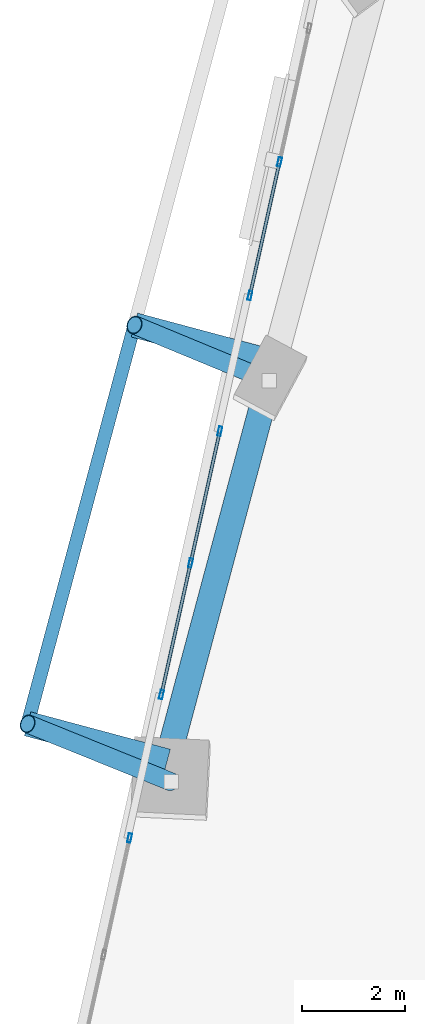
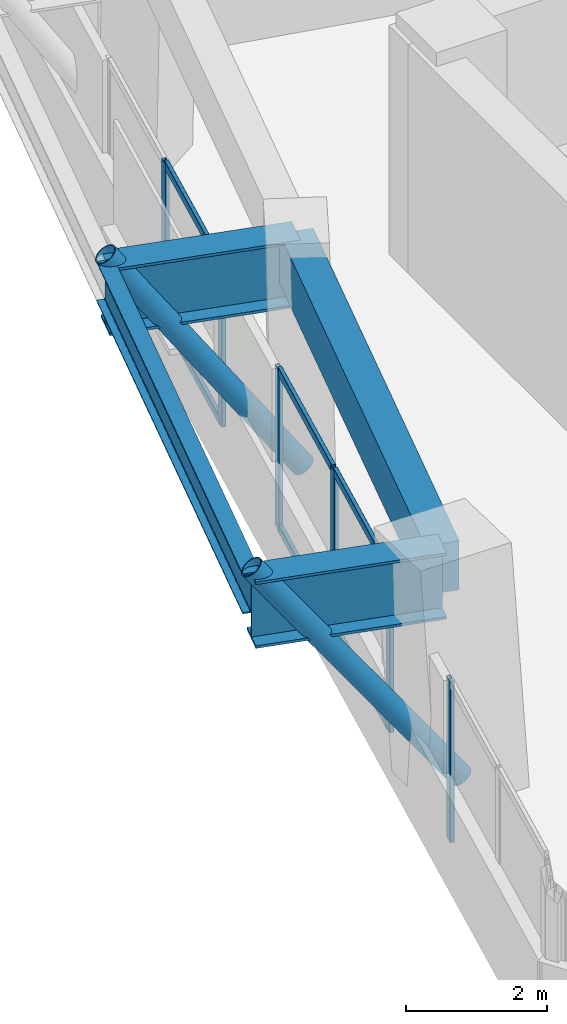
# One storey, part 6 of 26: 14 members, 4 beams, 3 elements without a shape of their own.
"""IFC4 building model written with IfcOpenShell, lengths in metres."""

from ifc_helpers import new_model, si_unit, direction, frame, origin, origin_2d, place, context, subcontext, project, spatial, rectangle, hollow_rectangle, hollow_circle, i_section, extrude, source, transform, mapped, material, material_profile, profile_set, type_object, element, aggregate, save


model = new_model("IFC4")

# Units and contexts
model_context = context("Model", 3, precision=1e-05, world=origin(), true_north=direction((0.0, 1.0)))
body_context = subcontext(model_context, "Body", "Model", "MODEL_VIEW")
ifc_project = project(units=[si_unit("LENGTHUNIT", "METRE"), si_unit("AREAUNIT", "SQUARE_METRE"), si_unit("VOLUMEUNIT", "CUBIC_METRE"), si_unit("PLANEANGLEUNIT", "RADIAN"), si_unit("MASSUNIT", "GRAM", prefix="KILO")], contexts=[model_context])

# Site, building, storey
site_placement = place(None, origin())
site = spatial("IfcSite", under=ifc_project, at=site_placement, CompositionType="ELEMENT")
building_placement = place(site_placement, origin())
building = spatial("IfcBuilding", under=site, at=building_placement, Name="Torre Montelarca", CompositionType="ELEMENT")
storey_placement = place(building_placement, frame((0.0, 0.0, 95.800048828125)))
storey = spatial("IfcBuildingStorey", under=building, at=storey_placement, Name="L21", CompositionType="ELEMENT", Elevation=95.800048828125)

# Members
ifc_material_1 = material(Name="Steel ASTM A500 Grade C", Category="steel")
ifc_material_profile_1 = material_profile(ifc_material_1, hollow_circle(Radius=0.177734375, WallThickness=0.015869140625, at=origin_2d()), Name="HSS355.6X15.9", Category="steel")
ifc_profile_set_1 = profile_set([ifc_material_profile_1], Name="Steel ASTM A500 Grade C")
member_type_1 = type_object("IfcMemberType", Name="MB-BR-CHS356-EXT", PredefinedType="BRACE", material=ifc_profile_set_1)
shared_shape_1 = source(origin(), body_context, "Body", "SweptSolid", [
    extrude(hollow_circle(Radius=0.177734375, WallThickness=0.015869140625, at=origin_2d()), origin(), (0.0, 0.0, 1.0), 4.928955078125),
])
member_1_placement = place(storey_placement, frame((3.2314453125, 28.234375, 0.14990234375), z_axis=(-0.56451189539, 0.228043587468, 0.793298457188), x_axis=(-0.374558552469, -0.927203262921, 0.0)))
element("IfcMember", 1, at=member_1_placement, inside=storey, type_object=member_type_1, Name="L22 Sliding Tray Exterior Diagonal Raker Strut W1", PredefinedType="BRACE", context=body_context, shape_type="MappedRepresentation", body=[
    mapped(shared_shape_1, transform((0.0, 0.0, 0.0), scale=1.0)),
])
shared_shape_2 = source(origin(), body_context, "Body", "SweptSolid", [
    extrude(hollow_circle(Radius=0.177734375, WallThickness=0.015869140625, at=origin_2d()), origin(), (0.0, 0.0, 1.0), 4.82568359375),
])
member_2_placement = place(storey_placement, frame((5.1328125, 36.0048828125, 0.14990234375), z_axis=(-0.541541899933, 0.223972906484, 0.810289150722), x_axis=(-0.382186574827, -0.92408518115, 0.0)))
element("IfcMember", 2, at=member_2_placement, inside=storey, type_object=member_type_1, Name="L22 Sliding Tray Exterior Diagonal Raker Strut W2", PredefinedType="BRACE", context=body_context, shape_type="MappedRepresentation", body=[
    mapped(shared_shape_2, transform((0.0, 0.0, 0.0), scale=1.0)),
])

# Beams
ifc_material_2 = material(Name="Concrete C55/67", Category="concrete")
ifc_material_profile_2 = material_profile(ifc_material_2, rectangle(XDim=0.5, YDim=0.85009765625, at=origin_2d()), Name="RCB500X850", Category="concrete")
ifc_profile_set_2 = profile_set([ifc_material_profile_2], Name="Concrete C55/67")
beam_type_1 = type_object("IfcBeamType", Name="BM-SP-RC850-EXT", PredefinedType="SPANDREL", material=ifc_profile_set_2)
shared_shape_3 = source(origin(), body_context, "Body", "SweptSolid", [
    extrude(rectangle(XDim=0.5, YDim=0.85009765625, at=origin_2d()), origin(), (0.0, 0.0, 1.0), 8.0),
])
beam_1_placement = place(storey_placement, frame((3.153564453125, 28.6337890625, 3.534912109375), z_axis=(0.258823034556, 0.965924757309, 0.0), x_axis=(-0.965924757309, 0.258823034556, 0.0)))
element("IfcBeam", 3, at=beam_1_placement, inside=storey, type_object=beam_type_1, Name="L21 Grid Girder Y 24.0-32.0 at X=4.7", PredefinedType="SPANDREL", context=body_context, shape_type="MappedRepresentation", body=[
    mapped(shared_shape_3, transform((0.0, 0.0, 0.0), scale=1.0)),
])
ifc_material_3 = material(Name="Steel ASTM A992 Grade 50", Category="steel")
ifc_material_profile_3 = material_profile(ifc_material_3, i_section(OverallWidth=0.256103515625, OverallDepth=0.693115234375, WebThickness=0.014404296875, FlangeThickness=0.023681640625, FilletRadius=0.01806640625, at=origin_2d()), Name="W690X170", Category="steel")
ifc_profile_set_3 = profile_set([ifc_material_profile_3], Name="Steel ASTM A992 Grade 50")
beam_type_2 = type_object("IfcBeamType", Name="BM-G-W690-EXT", PredefinedType="BEAM", material=ifc_profile_set_3)
shared_shape_4 = source(origin(), body_context, "Body", "SweptSolid", [
    extrude(i_section(OverallWidth=0.256103515625, OverallDepth=0.693115234375, WebThickness=0.014404296875, FlangeThickness=0.023681640625, FilletRadius=0.01806640625, at=origin_2d()), origin(), (0.0, 0.0, 1.0), 8.0),
])
beam_2_placement = place(storey_placement, frame((0.448974609375, 29.3583984375, 3.614013671875), z_axis=(0.258823034556, 0.965924757309, 0.0), x_axis=(-0.965924757309, 0.258823034556, 0.0)))
element("IfcBeam", 4, at=beam_2_placement, inside=storey, type_object=beam_type_2, Name="L21 Sliding Tray Edge Girder West 24.0-32.0m (FLR)", PredefinedType="BEAM", context=body_context, shape_type="MappedRepresentation", body=[
    mapped(shared_shape_4, transform((0.0, 0.0, 0.0), scale=1.0)),
])
ifc_material_4 = material(Name="Steel ASTM A572 Grade 50", Category="steel")
ifc_material_profile_4 = material_profile(ifc_material_4, i_section(OverallWidth=0.47998046875, OverallDepth=1.14990234375, WebThickness=0.02197265625, FlangeThickness=0.044921875, at=origin_2d()), Name="PG1150X480X22X45", Category="steel")
ifc_profile_set_4 = profile_set([ifc_material_profile_4], Name="Steel ASTM A572 Grade 50")
beam_type_3 = type_object("IfcBeamType", Name="BM-CG-PG1400-EXT", PredefinedType="USERDEFINED", material=ifc_profile_set_4)
shared_shape_5 = source(origin(), body_context, "Body", "SweptSolid", [
    extrude(i_section(OverallWidth=0.47998046875, OverallDepth=1.14990234375, WebThickness=0.02197265625, FlangeThickness=0.044921875, at=origin_2d()), origin(), (0.0, 0.0, 1.0), 2.800048828125),
])
for number, where, z_axis, x_axis, name in (
    (5, (3.153564453125, 28.6337890625, 3.385009765625), (-0.965933262516, 0.258791291131, 0.0), (-0.258791291131, -0.965933262516, 0.0), "L21 Sliding Tray Cantilever Girder West Y=24.0m (FLR)"),
    (6, (5.22412109375, 36.361083984375, 3.385009765625), (-0.965933262516, 0.258791291131, 0.0), (-0.258791291131, -0.965933262516, 0.0), "L21 Sliding Tray Cantilever Girder West Y=32.0m (FLR)"),
):
    element("IfcBeam", number, at=place(storey_placement, frame(where, z_axis=z_axis, x_axis=x_axis)), inside=storey, type_object=beam_type_3, Name=name, ObjectType="CANTILEVER GIRDER", PredefinedType="USERDEFINED", context=body_context, shape_type="MappedRepresentation", body=[
        mapped(shared_shape_5, transform((0.0, 0.0, 0.0), scale=1.0)),
    ])

# Curtain wall, members
ifc_material_5 = material(Name="Insulated low-E laminated glass", Category="glass")
curtain_wall_type = type_object("IfcCurtainWallType", Name="CW-SYS-Z1", PredefinedType="USERDEFINED", material=ifc_material_5)
curtain_wall_1_placement = place(storey_placement, origin())
curtain_wall_1 = element("IfcCurtainWall", 7, at=curtain_wall_1_placement, inside=storey, type_object=curtain_wall_type, Name="L21 Curtain Wall Run CW-T3-L21-E10-B1", ObjectType="UNITISED GLAZING", PredefinedType="USERDEFINED")
ifc_material_6 = material(Name="Anodised aluminium AA 6063-T6", Category="aluminium")
ifc_material_profile_5 = material_profile(ifc_material_6, hollow_rectangle(XDim=0.06494140625, YDim=0.139892578125, WallThickness=0.00390625, InnerFilletRadius=0.00390625, OuterFilletRadius=0.008056640625, at=origin_2d()), Name="ALU65X140X4", Category="aluminium")
ifc_profile_set_5 = profile_set([ifc_material_profile_5], Name="Anodised aluminium AA 6063-T6")
member_type_2 = type_object("IfcMemberType", Name="CWT-ALU140", PredefinedType="USERDEFINED", material=ifc_profile_set_5)
shared_shape_6 = source(origin(), body_context, "Body", "SweptSolid", [
    extrude(hollow_rectangle(XDim=0.06494140625, YDim=0.139892578125, WallThickness=0.00390625, InnerFilletRadius=0.00390625, OuterFilletRadius=0.008056640625, at=origin_2d()), origin(), (0.0, 0.0, 1.0), 2.587890625),
])
member_3_placement = place(storey_placement, frame((5.324462890625, 40.213623046875, 0.032470703125), z_axis=(-0.216500930938, -0.976282411448, 0.0), x_axis=(0.976282411448, -0.216500930938, 0.0)))
member_3 = element("IfcMember", 8, at=member_3_placement, type_object=member_type_2, Name="CW transom 2.1", ObjectType="TRANSOM", PredefinedType="USERDEFINED", context=body_context, shape_type="MappedRepresentation", body=[
    mapped(shared_shape_6, transform((0.0, 0.0, 0.0), scale=1.0)),
])
member_4_placement = place(storey_placement, frame((5.324462890625, 40.213623046875, 2.742431640625), z_axis=(-0.216500930938, -0.976282411448, 0.0), x_axis=(0.976282411448, -0.216500930938, 0.0)))
member_4 = element("IfcMember", 9, at=member_4_placement, type_object=member_type_2, Name="CW transom 2.2", ObjectType="TRANSOM", PredefinedType="USERDEFINED", context=body_context, shape_type="MappedRepresentation", body=[
    mapped(shared_shape_6, transform((0.0, 0.0, 0.0), scale=1.0)),
])

curtain_wall_2_placement = place(storey_placement, origin())
curtain_wall_2 = element("IfcCurtainWall", 10, at=curtain_wall_2_placement, inside=storey, type_object=curtain_wall_type, Name="L21 Curtain Wall Run CW-T3-L21-E10-B2", ObjectType="UNITISED GLAZING", PredefinedType="USERDEFINED")
shared_shape_7 = source(origin(), body_context, "Body", "SweptSolid", [
    extrude(hollow_rectangle(XDim=0.06494140625, YDim=0.139892578125, WallThickness=0.00390625, InnerFilletRadius=0.00390625, OuterFilletRadius=0.008056640625, at=origin_2d()), origin(), (0.0, 0.0, 1.0), 2.547607421875),
])
member_5_placement = place(storey_placement, frame((4.16748046875, 34.9951171875, 0.032470703125), z_axis=(-0.216473845244, -0.976288417593, 0.0), x_axis=(0.976288417593, -0.216473845244, 0.0)))
member_5 = element("IfcMember", 11, at=member_5_placement, type_object=member_type_2, Name="CW transom 1.1", ObjectType="TRANSOM", PredefinedType="USERDEFINED", context=body_context, shape_type="MappedRepresentation", body=[
    mapped(shared_shape_7, transform((0.0, 0.0, 0.0), scale=1.0)),
])
member_6_placement = place(storey_placement, frame((4.16748046875, 34.9951171875, 2.742431640625), z_axis=(-0.216473845244, -0.976288417593, 0.0), x_axis=(0.976288417593, -0.216473845244, 0.0)))
member_6 = element("IfcMember", 12, at=member_6_placement, type_object=member_type_2, Name="CW transom 1.2", ObjectType="TRANSOM", PredefinedType="USERDEFINED", context=body_context, shape_type="MappedRepresentation", body=[
    mapped(shared_shape_7, transform((0.0, 0.0, 0.0), scale=1.0)),
])
member_7_placement = place(storey_placement, frame((3.60205078125, 32.444580078125, 0.032470703125), z_axis=(-0.216473845244, -0.976288417593, 0.0), x_axis=(0.976288417593, -0.216473845244, 0.0)))
member_7 = element("IfcMember", 13, at=member_7_placement, type_object=member_type_2, Name="CW transom 2.1", ObjectType="TRANSOM", PredefinedType="USERDEFINED", context=body_context, shape_type="MappedRepresentation", body=[
    mapped(shared_shape_7, transform((0.0, 0.0, 0.0), scale=1.0)),
])
member_8_placement = place(storey_placement, frame((3.60205078125, 32.444580078125, 2.742431640625), z_axis=(-0.216473845244, -0.976288417593, 0.0), x_axis=(0.976288417593, -0.216473845244, 0.0)))
member_8 = element("IfcMember", 14, at=member_8_placement, type_object=member_type_2, Name="CW transom 2.2", ObjectType="TRANSOM", PredefinedType="USERDEFINED", context=body_context, shape_type="MappedRepresentation", body=[
    mapped(shared_shape_7, transform((0.0, 0.0, 0.0), scale=1.0)),
])

# Member
ifc_material_profile_6 = material_profile(ifc_material_6, hollow_rectangle(XDim=0.06494140625, YDim=0.179931640625, WallThickness=0.00390625, InnerFilletRadius=0.00390625, OuterFilletRadius=0.008056640625, at=origin_2d()), Name="ALU65X180X4", Category="aluminium")
ifc_profile_set_6 = profile_set([ifc_material_profile_6], Name="Anodised aluminium AA 6063-T6")
member_type_3 = type_object("IfcMemberType", Name="CWM-ALU180", PredefinedType="MULLION", material=ifc_profile_set_6)
shared_shape_8 = source(origin(), body_context, "Body", "SweptSolid", [
    extrude(hollow_rectangle(XDim=0.06494140625, YDim=0.179931640625, WallThickness=0.00390625, InnerFilletRadius=0.00390625, OuterFilletRadius=0.008056640625, at=origin_2d()), origin(), (0.0, 0.0, 1.0), 2.77490234375),
])
member_9_placement = place(storey_placement, frame((5.331298828125, 40.245361328125, 0.0), z_axis=(0.0, 0.0, 1.0), x_axis=(0.976297336724, -0.216433616394, 0.0)))
member_9 = element("IfcMember", 15, at=member_9_placement, type_object=member_type_3, Name="CW mullion 2", PredefinedType="MULLION", context=body_context, shape_type="MappedRepresentation", body=[
    mapped(shared_shape_8, transform((0.0, 0.0, 0.0), scale=1.0)),
])

member_10_placement = place(storey_placement, frame((4.75732421875, 37.6552734375, 0.0), z_axis=(0.0, 0.0, 1.0), x_axis=(0.976297336724, -0.216433616394, 0.0)))
member_10 = element("IfcMember", 16, at=member_10_placement, type_object=member_type_3, Name="CW mullion 3", PredefinedType="MULLION", context=body_context, shape_type="MappedRepresentation", body=[
    mapped(shared_shape_8, transform((0.0, 0.0, 0.0), scale=1.0)),
])

aggregate(curtain_wall_1, [member_9, member_10, member_3, member_4])

member_11_placement = place(storey_placement, frame((4.174560546875, 35.02685546875, 0.0), z_axis=(0.0, 0.0, 1.0), x_axis=(0.976294579251, -0.216446054537, 0.0)))
member_11 = element("IfcMember", 17, at=member_11_placement, type_object=member_type_3, Name="CW mullion 1", PredefinedType="MULLION", context=body_context, shape_type="MappedRepresentation", body=[
    mapped(shared_shape_8, transform((0.0, 0.0, 0.0), scale=1.0)),
])

member_12_placement = place(storey_placement, frame((3.60888671875, 32.476318359375, 0.0), z_axis=(0.0, 0.0, 1.0), x_axis=(0.976294579251, -0.216446054537, 0.0)))
member_12 = element("IfcMember", 18, at=member_12_placement, type_object=member_type_3, Name="CW mullion 2", PredefinedType="MULLION", context=body_context, shape_type="MappedRepresentation", body=[
    mapped(shared_shape_8, transform((0.0, 0.0, 0.0), scale=1.0)),
])

member_13_placement = place(storey_placement, frame((3.04345703125, 29.925537109375, 0.0), z_axis=(0.0, 0.0, 1.0), x_axis=(0.976294579251, -0.216446054537, 0.0)))
member_13 = element("IfcMember", 19, at=member_13_placement, type_object=member_type_3, Name="CW mullion 3", PredefinedType="MULLION", context=body_context, shape_type="MappedRepresentation", body=[
    mapped(shared_shape_8, transform((0.0, 0.0, 0.0), scale=1.0)),
])

aggregate(curtain_wall_2, [member_11, member_12, member_13, member_5, member_6, member_7, member_8])

# Curtain wall, member
curtain_wall_3_placement = place(storey_placement, origin())
curtain_wall_3 = element("IfcCurtainWall", 20, at=curtain_wall_3_placement, inside=storey, type_object=curtain_wall_type, Name="L21 Curtain Wall Run CW-T3-L21-E10-B3", ObjectType="UNITISED GLAZING", PredefinedType="USERDEFINED")
member_14_placement = place(storey_placement, frame((2.427001953125, 27.14501953125, 0.0), z_axis=(0.0, 0.0, 1.0), x_axis=(0.976296101352, -0.216439188886, 0.0)))
member_14 = element("IfcMember", 21, at=member_14_placement, type_object=member_type_3, Name="CW mullion 1", PredefinedType="MULLION", context=body_context, shape_type="MappedRepresentation", body=[
    mapped(shared_shape_8, transform((0.0, 0.0, 0.0), scale=1.0)),
])
aggregate(curtain_wall_3, [member_14])

save(model, "model.ifc")
